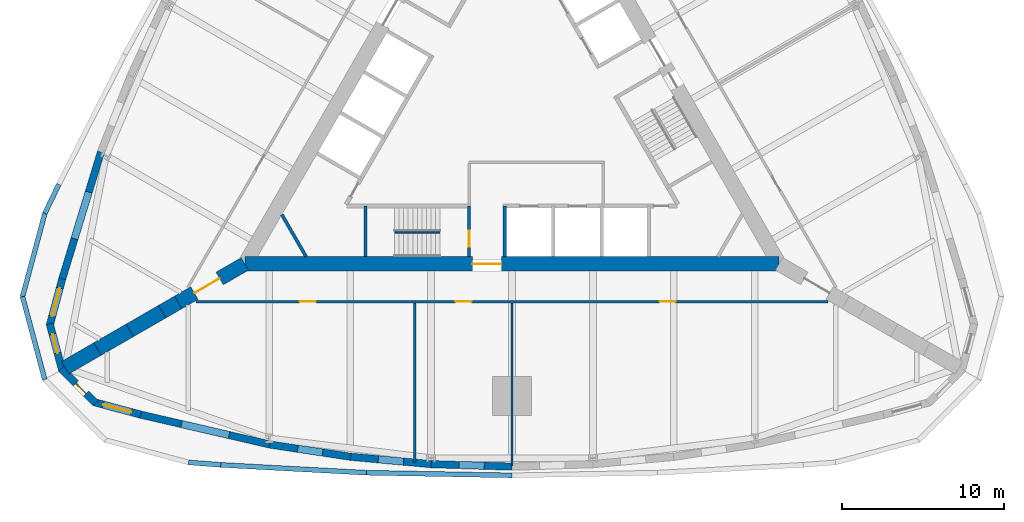
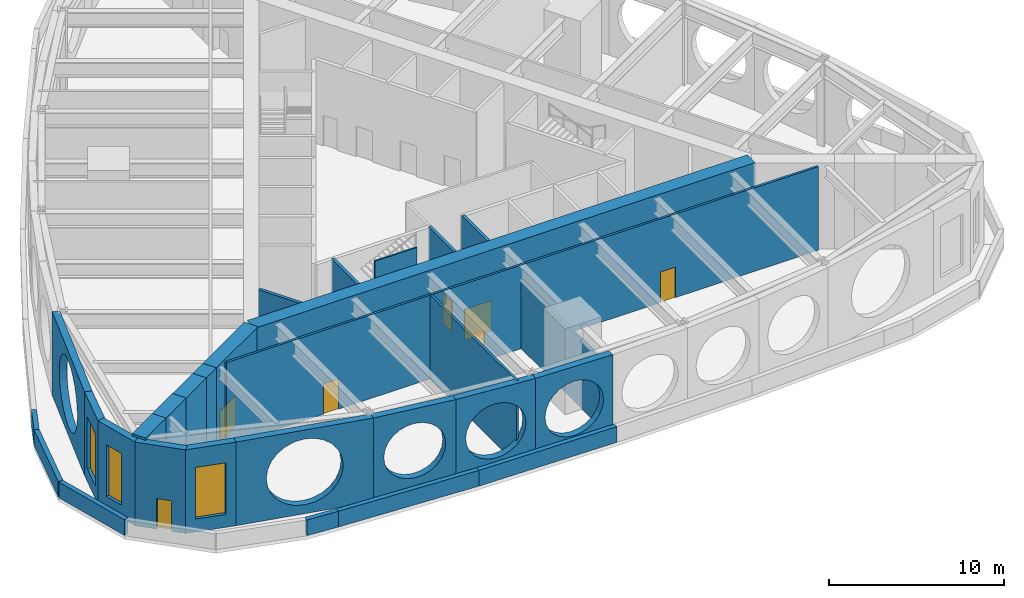
# One storey, part 3 of 8: 29 walls, 7 doors, 3 windows, 10 openings.
"""IFC4 building model written with IfcOpenShell, lengths in metres."""

from ifc_helpers import new_model, si_unit, direction, frame, frame_2d, origin, place, context, subcontext, project, spatial, polyline, rectangle, outline, extrude, material, layer, layer_set, type_object, element, fill, save


model = new_model("IFC4")

# Units and contexts
model_context = context("Model", 3, precision=1e-05, world=origin(), true_north=direction((0.0, 1.0)))
body_context = subcontext(model_context, "Body", "Model", "MODEL_VIEW")
ifc_project = project(units=[si_unit("LENGTHUNIT", "METRE"), si_unit("AREAUNIT", "SQUARE_METRE"), si_unit("VOLUMEUNIT", "CUBIC_METRE"), si_unit("PLANEANGLEUNIT", "RADIAN"), si_unit("MASSUNIT", "GRAM", prefix="KILO")], contexts=[model_context])

# Site, building, storey
site_placement = place(None, origin())
site = spatial("IfcSite", under=ifc_project, at=site_placement, CompositionType="ELEMENT")
building_placement = place(site_placement, origin())
building = spatial("IfcBuilding", under=site, at=building_placement, Name="Trikona Tower", CompositionType="ELEMENT")
storey_placement = place(building_placement, frame((0.0, 0.0, 22.5)))
storey = spatial("IfcBuildingStorey", under=building, at=storey_placement, Name="L04", CompositionType="ELEMENT", Elevation=22.5)

# Wall, opening, window
ifc_material_1 = material(Name="Brick-faced precast concrete", Category="masonry")
ifc_layer_1 = layer(ifc_material_1, 0.449951171875)
ifc_layer_set_1 = layer_set([ifc_layer_1], Name="Brick-faced corner wall 450")
wall_type_1 = type_object("IfcWallType", Name="Brick-faced corner wall 450", PredefinedType="SOLIDWALL", material=ifc_layer_set_1)
wall_1_placement = place(storey_placement, frame((-27.78271484375, -10.450439453125, 0.0), z_axis=(0.0, 0.0, 1.0), x_axis=(-0.258780998834, -0.965936019953, 0.0)))
wall_1 = element("IfcWall", 1, at=wall_1_placement, inside=storey, type_object=wall_type_1, Name="External wall L04-32", PredefinedType="SOLIDWALL", context=body_context, shape_type="SweptSolid", body=[
    extrude(rectangle(XDim=2.98876953125, YDim=0.449951171875, at=frame_2d((1.494384765625, 0.0))), origin(), (0.0, 0.0, 1.0), 5.8349609375),
])
opening_1_placement = place(wall_1_placement, frame((0.59423828125, 0.0, 0.89990234375)))
opening_1 = element("IfcOpeningElement", 2, at=opening_1_placement, cuts=wall_1, Name="Opening W1836", PredefinedType="OPENING", context=body_context, shape_type="SweptSolid", body=[
    extrude(rectangle(XDim=1.800048828125, YDim=3.60009765625, at=frame_2d((0.89990234375, 1.800048828125))), frame((0.0, 0.23486328125, 0.0), z_axis=(0.0, -1.0, 0.0), x_axis=(1.0, 0.0, 0.0)), (0.0, 0.0, 1.0), 0.469970703125),
])
ifc_material_2 = material(Name="Aluminium-framed double glazing", Category="aluminium")
window_type_1 = type_object("IfcWindowType", Name="Window 1800x3600", PartitioningType="SINGLE_PANEL", PredefinedType="WINDOW", material=ifc_material_2)
window_1_placement = place(opening_1_placement, origin())
window_1 = element("IfcWindow", 3, at=window_1_placement, inside=storey, type_object=window_type_1, Name="Window L04-AHU", OverallHeight=3.60009765625, OverallWidth=1.800048828125, PartitioningType="SINGLE_PANEL", PredefinedType="WINDOW", context=body_context, shape_type="SweptSolid", body=[
    extrude(rectangle(XDim=1.800048828125, YDim=3.60009765625, at=frame_2d((0.89990234375, 1.800048828125))), frame((0.0, 0.030029296875, 0.0), z_axis=(0.0, -1.0, 0.0), x_axis=(1.0, 0.0, 0.0)), (0.0, 0.0, 1.0), 0.06005859375),
])
fill(opening_1, window_1)

wall_2_placement = place(storey_placement, frame((-28.55615234375, -13.220947265625, 0.0), z_axis=(0.0, 0.0, 1.0), x_axis=(0.258801419081, -0.965930548995, 0.0)))
wall_2 = element("IfcWall", 4, at=wall_2_placement, inside=storey, type_object=wall_type_1, Name="External wall L04-33", PredefinedType="SOLIDWALL", context=body_context, shape_type="SweptSolid", body=[
    extrude(outline(polyline([(2.988525390625, 0.22509765625), (2.928955078125, 0.22509765625), (2.437255859375, 0.09326171875), (2.402099609375, 0.22509765625), (0.0, 0.22509765625), (0.0, -0.22509765625), (2.988525390625, -0.22509765625), (2.988525390625, 0.22509765625)])), origin(), (0.0, 0.0, 1.0), 5.8349609375),
])
opening_2_placement = place(wall_2_placement, frame((0.676025390625, 0.0, 0.89990234375)))
opening_2 = element("IfcOpeningElement", 5, at=opening_2_placement, cuts=wall_2, Name="Opening W1236", PredefinedType="OPENING", context=body_context, shape_type="SweptSolid", body=[
    extrude(rectangle(XDim=1.199951171875, YDim=3.60009765625, at=frame_2d((0.60009765625, 1.800048828125))), frame((0.0, 0.23486328125, 0.0), z_axis=(0.0, -1.0, 0.0), x_axis=(1.0, 0.0, 0.0)), (0.0, 0.0, 1.0), 0.469970703125),
])
ifc_material_3 = material(Name="Aluminium-framed double glazing", Category="aluminium")
window_type_2 = type_object("IfcWindowType", Name="Window 1200x3600", PartitioningType="SINGLE_PANEL", PredefinedType="WINDOW", material=ifc_material_3)
window_2_placement = place(opening_2_placement, origin())
window_2 = element("IfcWindow", 6, at=window_2_placement, inside=storey, type_object=window_type_2, Name="Window L04-AHU", OverallHeight=3.60009765625, OverallWidth=1.199951171875, PartitioningType="SINGLE_PANEL", PredefinedType="WINDOW", context=body_context, shape_type="SweptSolid", body=[
    extrude(rectangle(XDim=1.199951171875, YDim=3.60009765625, at=frame_2d((0.60009765625, 1.800048828125))), frame((0.0, 0.030029296875, 0.0), z_axis=(0.0, -1.0, 0.0), x_axis=(1.0, 0.0, 0.0)), (0.0, 0.0, 1.0), 0.06005859375),
])
fill(opening_2, window_2)

# Wall, opening, door
wall_3_placement = place(storey_placement, frame((-27.8408203125, -16.006591796875, 0.0), z_axis=(0.0, 0.0, 1.0), x_axis=(0.707025086683, -0.707188466253, 0.0)))
wall_3 = element("IfcWall", 7, at=wall_3_placement, inside=storey, type_object=wall_type_1, Name="External wall L04-34", PredefinedType="SOLIDWALL", context=body_context, shape_type="SweptSolid", body=[
    extrude(outline(polyline([(2.988525390625, 0.22509765625), (0.58642578125, 0.22509765625), (0.551025390625, 0.093017578125), (0.058837890625, 0.22509765625), (0.0, 0.22509765625), (0.0, -0.22509765625), (2.988525390625, -0.22509765625), (2.988525390625, 0.22509765625)])), origin(), (0.0, 0.0, 1.0), 5.8349609375),
])
opening_3_placement = place(wall_3_placement, frame((1.262451171875, 0.0, 0.0)))
opening_3 = element("IfcOpeningElement", 8, at=opening_3_placement, cuts=wall_3, Name="Opening D17", PredefinedType="OPENING", context=body_context, shape_type="SweptSolid", body=[
    extrude(rectangle(XDim=0.89990234375, YDim=2.1298828125, at=frame_2d((0.449951171875, 1.06494140625))), frame((0.0, 0.23486328125, 0.0), z_axis=(0.0, -1.0, 0.0), x_axis=(1.0, 0.0, 0.0)), (0.0, 0.0, 1.0), 0.469970703125),
])
ifc_material_4 = material(Name="Insulated steel door and frame", Category="steel")
door_type_1 = type_object("IfcDoorType", Name="Maintenance roof access door 900x2130", OperationType="SINGLE_SWING_LEFT", PredefinedType="DOOR", material=ifc_material_4)
door_1_placement = place(opening_3_placement, origin())
door_1 = element("IfcDoor", 9, at=door_1_placement, inside=storey, type_object=door_type_1, Name="Maintenance access door Main electrical switch room", OperationType="SINGLE_SWING_LEFT", OverallHeight=2.1298828125, OverallWidth=0.89990234375, PredefinedType="DOOR", context=body_context, shape_type="SweptSolid", body=[
    extrude(rectangle(XDim=0.89990234375, YDim=2.1298828125, at=frame_2d((0.449951171875, 1.06494140625))), frame((0.0, 0.02490234375, 0.0), z_axis=(0.0, -1.0, 0.0), x_axis=(1.0, 0.0, 0.0)), (0.0, 0.0, 1.0), 0.050048828125),
])
fill(opening_3, door_1)

# Wall, opening, window
wall_4_placement = place(storey_placement, frame((-25.82861328125, -18.061767578125, 0.0), z_axis=(0.0, 0.0, 1.0), x_axis=(0.965930548995, -0.258801419081, 0.0)))
wall_4 = element("IfcWall", 10, at=wall_4_placement, inside=storey, type_object=wall_type_1, Name="External wall L04-35", PredefinedType="SOLIDWALL", context=body_context, shape_type="SweptSolid", body=[
    extrude(rectangle(XDim=2.988525390625, YDim=0.449951171875, at=frame_2d((1.494140625, 0.0))), origin(), (0.0, 0.0, 1.0), 5.8349609375),
])
opening_4_placement = place(wall_4_placement, frame((0.59423828125, 0.0, 0.89990234375)))
opening_4 = element("IfcOpeningElement", 11, at=opening_4_placement, cuts=wall_4, Name="Opening W1836", PredefinedType="OPENING", context=body_context, shape_type="SweptSolid", body=[
    extrude(rectangle(XDim=1.800048828125, YDim=3.60009765625, at=frame_2d((0.89990234375, 1.800048828125))), frame((0.0, 0.23486328125, 0.0), z_axis=(0.0, -1.0, 0.0), x_axis=(1.0, 0.0, 0.0)), (0.0, 0.0, 1.0), 0.469970703125),
])
window_3_placement = place(opening_4_placement, origin())
window_3 = element("IfcWindow", 12, at=window_3_placement, inside=storey, type_object=window_type_1, Name="Window L04-SWR", OverallHeight=3.60009765625, OverallWidth=1.800048828125, PartitioningType="SINGLE_PANEL", PredefinedType="WINDOW", context=body_context, shape_type="SweptSolid", body=[
    extrude(rectangle(XDim=1.800048828125, YDim=3.60009765625, at=frame_2d((0.89990234375, 1.800048828125))), frame((0.0, 0.030029296875, 0.0), z_axis=(0.0, -1.0, 0.0), x_axis=(1.0, 0.0, 0.0)), (0.0, 0.0, 1.0), 0.06005859375),
])
fill(opening_4, window_3)

# Walls
ifc_material_5 = material(Name="Brick-faced precast concrete with louvred openings", Category="masonry")
ifc_layer_2 = layer(ifc_material_5, 0.449951171875)
ifc_layer_set_2 = layer_set([ifc_layer_2], Name="Brick-faced plant wall 450")
wall_type_2 = type_object("IfcWallType", Name="Brick-faced plant wall 450", PredefinedType="SOLIDWALL", material=ifc_layer_set_2)
wall_5_placement = place(storey_placement, frame((-22.94921875, -18.83349609375, 0.0), z_axis=(0.0, 0.0, 1.0), x_axis=(0.974279327392, -0.225343720163, 0.0)))
element("IfcWall", 13, at=wall_5_placement, inside=storey, type_object=wall_type_2, Name="External wall L04-00", PredefinedType="SOLIDWALL", context=body_context, shape_type="SweptSolid", body=[
    extrude(outline(polyline([(0.0, 0.0), (8.211181640625, 0.0), (8.211181640625, 5.8349609375), (0.0, 5.8349609375), (0.0, 0.0)]), holes=[polyline([(6.405517578125, 2.91748046875), (6.3271484375, 3.5126953125), (6.097412109375, 4.0673828125), (5.73193359375, 4.543701171875), (5.255615234375, 4.909423828125), (4.700927734375, 5.13916015625), (4.105712890625, 5.217529296875), (3.51025390625, 5.13916015625), (2.95556640625, 4.909423828125), (2.479248046875, 4.543701171875), (2.11376953125, 4.0673828125), (1.884033203125, 3.5126953125), (1.8056640625, 2.91748046875), (1.884033203125, 2.322265625), (2.11376953125, 1.767578125), (2.479248046875, 1.291259765625), (2.95556640625, 0.925537109375), (3.51025390625, 0.69580078125), (4.105712890625, 0.617431640625), (4.700927734375, 0.69580078125), (5.255615234375, 0.925537109375), (5.73193359375, 1.291259765625), (6.097412109375, 1.767578125), (6.3271484375, 2.322265625), (6.405517578125, 2.91748046875)])]), frame((0.0, 0.22509765625, 0.0), z_axis=(0.0, -1.0, 0.0), x_axis=(1.0, 0.0, 0.0)), (0.0, 0.0, 1.0), 0.449951171875),
])
wall_6_placement = place(storey_placement, frame((-14.966064453125, -20.6806640625, 0.0), z_axis=(0.0, 0.0, 1.0), x_axis=(0.988622582897, -0.150417381265, 0.0)))
element("IfcWall", 14, at=wall_6_placement, inside=storey, type_object=wall_type_2, Name="External wall L04-01", PredefinedType="SOLIDWALL", context=body_context, shape_type="SweptSolid", body=[
    extrude(outline(polyline([(0.0, 0.0), (5.0576171875, 0.0), (5.0576171875, 5.8349609375), (0.0, 5.8349609375), (0.0, 0.0)]), holes=[polyline([(4.4287109375, 2.91748046875), (4.364013671875, 3.4091796875), (4.17431640625, 3.867431640625), (3.872314453125, 4.260986328125), (3.478759765625, 4.56298828125), (3.0205078125, 4.752685546875), (2.52880859375, 4.8173828125), (2.037109375, 4.752685546875), (1.578857421875, 4.56298828125), (1.185302734375, 4.260986328125), (0.88330078125, 3.867431640625), (0.693603515625, 3.4091796875), (0.62890625, 2.91748046875), (0.693603515625, 2.42578125), (0.88330078125, 1.967529296875), (1.185302734375, 1.573974609375), (1.578857421875, 1.272216796875), (2.037109375, 1.082275390625), (2.52880859375, 1.017578125), (3.0205078125, 1.082275390625), (3.478759765625, 1.272216796875), (3.872314453125, 1.573974609375), (4.17431640625, 1.967529296875), (4.364013671875, 2.42578125), (4.4287109375, 2.91748046875)])]), frame((0.0, 0.22509765625, 0.0), z_axis=(0.0, -1.0, 0.0), x_axis=(1.0, 0.0, 0.0)), (0.0, 0.0, 1.0), 0.449951171875),
])
wall_7_placement = place(storey_placement, frame((-9.9794921875, -21.439697265625, 0.0), z_axis=(0.0, 0.0, 1.0), x_axis=(0.995857256774, -0.090930325692, 0.0)))
element("IfcWall", 15, at=wall_7_placement, inside=storey, type_object=wall_type_2, Name="External wall L04-02", PredefinedType="SOLIDWALL", context=body_context, shape_type="SweptSolid", body=[
    extrude(outline(polyline([(0.0, 0.0), (5.020751953125, 0.0), (5.020751953125, 5.8349609375), (0.0, 5.8349609375), (0.0, 0.0)]), holes=[polyline([(4.410400390625, 2.91748046875), (4.345703125, 3.4091796875), (4.15576171875, 3.867431640625), (3.85400390625, 4.260986328125), (3.46044921875, 4.56298828125), (3.002197265625, 4.752685546875), (2.510498046875, 4.8173828125), (2.0185546875, 4.752685546875), (1.560302734375, 4.56298828125), (1.1669921875, 4.260986328125), (0.864990234375, 3.867431640625), (0.675048828125, 3.4091796875), (0.6103515625, 2.91748046875), (0.675048828125, 2.42578125), (0.864990234375, 1.967529296875), (1.1669921875, 1.573974609375), (1.560302734375, 1.272216796875), (2.0185546875, 1.082275390625), (2.510498046875, 1.017578125), (3.002197265625, 1.082275390625), (3.46044921875, 1.272216796875), (3.85400390625, 1.573974609375), (4.15576171875, 1.967529296875), (4.345703125, 2.42578125), (4.410400390625, 2.91748046875)])]), frame((0.0, 0.22509765625, 0.0), z_axis=(0.0, -1.0, 0.0), x_axis=(1.0, 0.0, 0.0)), (0.0, 0.0, 1.0), 0.449951171875),
])
wall_8_placement = place(storey_placement, frame((-4.9931640625, -21.8955078125, 0.0), z_axis=(0.0, 0.0, 1.0), x_axis=(0.999537635046, -0.030405856769, 0.0)))
element("IfcWall", 16, at=wall_8_placement, inside=storey, type_object=wall_type_2, Name="External wall L04-03", PredefinedType="SOLIDWALL", context=body_context, shape_type="SweptSolid", body=[
    extrude(outline(polyline([(0.0, 0.0), (5.002197265625, 0.0), (5.002197265625, 5.8349609375), (0.0, 5.8349609375), (0.0, 0.0)]), holes=[polyline([(4.401123046875, 2.91748046875), (4.33642578125, 3.4091796875), (4.146484375, 3.867431640625), (3.8447265625, 4.260986328125), (3.451171875, 4.56298828125), (2.992919921875, 4.752685546875), (2.501220703125, 4.8173828125), (2.009521484375, 4.752685546875), (1.55126953125, 4.56298828125), (1.15771484375, 4.260986328125), (0.855712890625, 3.867431640625), (0.666015625, 3.4091796875), (0.601318359375, 2.91748046875), (0.666015625, 2.42578125), (0.855712890625, 1.967529296875), (1.15771484375, 1.573974609375), (1.55126953125, 1.272216796875), (2.009521484375, 1.082275390625), (2.501220703125, 1.017578125), (2.992919921875, 1.082275390625), (3.451171875, 1.272216796875), (3.8447265625, 1.573974609375), (4.146484375, 1.967529296875), (4.33642578125, 2.42578125), (4.401123046875, 2.91748046875)])]), frame((0.0, 0.22509765625, 0.0), z_axis=(0.0, -1.0, 0.0), x_axis=(1.0, 0.0, 0.0)), (0.0, 0.0, 1.0), 0.449951171875),
])
wall_9_placement = place(storey_placement, frame((-25.38720703125, -2.6044921875, 0.0), z_axis=(0.0, 0.0, 1.0), x_axis=(-0.291997961298, -0.956418940945, 0.0)))
element("IfcWall", 17, at=wall_9_placement, inside=storey, type_object=wall_type_2, Name="External wall L04-31", PredefinedType="SOLIDWALL", context=body_context, shape_type="SweptSolid", body=[
    extrude(outline(polyline([(0.0, 0.0), (8.21142578125, 0.0), (8.21142578125, 5.8349609375), (0.0, 5.8349609375), (0.0, 0.0)]), holes=[polyline([(6.405517578125, 2.91748046875), (6.3271484375, 3.5126953125), (6.097412109375, 4.0673828125), (5.73193359375, 4.543701171875), (5.255615234375, 4.909423828125), (4.700927734375, 5.13916015625), (4.105712890625, 5.217529296875), (3.51025390625, 5.13916015625), (2.95556640625, 4.909423828125), (2.479248046875, 4.543701171875), (2.11376953125, 4.0673828125), (1.884033203125, 3.5126953125), (1.8056640625, 2.91748046875), (1.884033203125, 2.322265625), (2.11376953125, 1.767578125), (2.479248046875, 1.291259765625), (2.95556640625, 0.925537109375), (3.51025390625, 0.69580078125), (4.105712890625, 0.617431640625), (4.700927734375, 0.69580078125), (5.255615234375, 0.925537109375), (5.73193359375, 1.291259765625), (6.097412109375, 1.767578125), (6.3271484375, 2.322265625), (6.405517578125, 2.91748046875)])]), frame((0.0, 0.22509765625, 0.0), z_axis=(0.0, -1.0, 0.0), x_axis=(1.0, 0.0, 0.0)), (0.0, 0.0, 1.0), 0.449951171875),
])

# Wall, opening, door
ifc_material_6 = material(Name="Concrete f'c 10000 psi", Category="concrete")
ifc_layer_3 = layer(ifc_material_6, 0.89990234375)
ifc_layer_set_3 = layer_set([ifc_layer_3], Name="Buttress wall 900")
wall_type_3 = type_object("IfcWallType", Name="Buttress wall 900", PredefinedType="SHEAR", material=ifc_layer_set_3)
wall_10_placement = place(storey_placement, frame((-16.5, -9.5263671875, 0.0), z_axis=(0.0, 0.0, 1.0), x_axis=(-0.866031398331, -0.499989616998, 0.0)))
wall_10 = element("IfcWall", 18, at=wall_10_placement, inside=storey, type_object=wall_type_3, Name="Buttress wall 3", PredefinedType="SHEAR", context=body_context, shape_type="SweptSolid", body=[
    extrude(rectangle(XDim=4.74609375, YDim=0.89990234375, at=frame_2d((2.373046875, 0.0))), origin(), (0.0, 0.0, 1.0), 6.0),
])
opening_5_placement = place(wall_10_placement, frame((1.800048828125, 0.0, 0.0)))
opening_5 = element("IfcOpeningElement", 19, at=opening_5_placement, cuts=wall_10, Name="Opening D10", PredefinedType="OPENING", context=body_context, shape_type="SweptSolid", body=[
    extrude(rectangle(XDim=1.800048828125, YDim=2.1298828125, at=frame_2d((0.89990234375, 1.06494140625))), frame((0.0, 0.4599609375, 0.0), z_axis=(0.0, -1.0, 0.0), x_axis=(1.0, 0.0, 0.0)), (0.0, 0.0, 1.0), 0.919921875),
])
ifc_material_7 = material(Name="Hollow metal door and frame", Category="steel")
door_type_2 = type_object("IfcDoorType", Name="Cross-corridor door pair 1800x2130", OperationType="DOUBLE_DOOR_DOUBLE_SWING", PredefinedType="DOOR", material=ifc_material_7)
door_2_placement = place(opening_5_placement, origin())
door_2 = element("IfcDoor", 20, at=door_2_placement, inside=storey, type_object=door_type_2, Name="Cross-corridor door 3", OperationType="DOUBLE_DOOR_DOUBLE_SWING", OverallHeight=2.1298828125, OverallWidth=1.800048828125, PredefinedType="DOOR", context=body_context, shape_type="SweptSolid", body=[
    extrude(rectangle(XDim=1.800048828125, YDim=2.1298828125, at=frame_2d((0.89990234375, 1.06494140625))), frame((0.0, 0.02490234375, 0.0), z_axis=(0.0, -1.0, 0.0), x_axis=(1.0, 0.0, 0.0)), (0.0, 0.0, 1.0), 0.050048828125),
])
fill(opening_5, door_2)

# Walls
wall_11_placement = place(storey_placement, frame((-20.6103515625, -11.8994140625, 0.0), z_axis=(0.0, 0.0, 1.0), x_axis=(-0.866009537788, -0.500027479704, 0.0)))
element("IfcWall", 21, at=wall_11_placement, inside=storey, type_object=wall_type_3, Name="Buttress wall 3 part 2", PredefinedType="SHEAR", context=body_context, shape_type="SweptSolid", body=[
    extrude(rectangle(XDim=1.15478515625, YDim=0.89990234375, at=frame_2d((0.577392578125, 0.0))), origin(), (0.0, 0.0, 1.0), 6.0),
])
for number, where, z_axis, x_axis, name in (
    (22, (-21.6103515625, -12.476806640625, 0.0), (0.0, 0.0, 1.0), (-0.866055313784, -0.499948190782, 0.0), "Buttress wall 3 part 3"),
    (23, (-23.6103515625, -13.63134765625, 0.0), (0.0, 0.0, 1.0), (-0.866009537788, -0.500027479704, 0.0), "Buttress wall 3 part 4"),
    (24, (-25.6103515625, -14.7861328125, 0.0), (0.0, 0.0, 1.0), (-0.866009537788, -0.500027479704, 0.0), "Buttress wall 3 part 5"),
):
    element("IfcWall", number, at=place(storey_placement, frame(where, z_axis=z_axis, x_axis=x_axis)), inside=storey, type_object=wall_type_3, Name=name, PredefinedType="SHEAR", context=body_context, shape_type="SweptSolid", body=[
        extrude(rectangle(XDim=2.309326171875, YDim=0.89990234375, at=frame_2d((1.15478515625, 0.0))), origin(), (0.0, 0.0, 1.0), 6.0),
    ])

# Wall, opening, door
ifc_material_8 = material(Name="Concrete f'c 10000 psi", Category="concrete")
ifc_layer_4 = layer(ifc_material_8, 0.89990234375)
ifc_layer_set_4 = layer_set([ifc_layer_4], Name="Core wall 900")
wall_type_4 = type_object("IfcWallType", Name="Core wall 900", PredefinedType="SHEAR", material=ifc_layer_set_4)
wall_12_placement = place(storey_placement, frame((-16.5, -9.5263671875, 0.0), z_axis=(0.0, 0.0, 1.0), x_axis=(1.0, 0.0, 0.0)))
wall_12 = element("IfcWall", 25, at=wall_12_placement, inside=storey, type_object=wall_type_4, Name="Core wall A", PredefinedType="SHEAR", context=body_context, shape_type="SweptSolid", body=[
    extrude(rectangle(XDim=33.0, YDim=0.89990234375, at=frame_2d((16.5, 0.0))), origin(), (0.0, 0.0, 1.0), 6.0),
])
opening_6_placement = place(wall_12_placement, frame((14.050048828125, 0.0, 0.0)))
opening_6 = element("IfcOpeningElement", 26, at=opening_6_placement, cuts=wall_12, Name="Opening D6", PredefinedType="OPENING", context=body_context, shape_type="SweptSolid", body=[
    extrude(rectangle(XDim=1.800048828125, YDim=2.1298828125, at=frame_2d((0.89990234375, 1.06494140625))), frame((0.0, 0.4599609375, 0.0), z_axis=(0.0, -1.0, 0.0), x_axis=(1.0, 0.0, 0.0)), (0.0, 0.0, 1.0), 0.919921875),
])
ifc_material_9 = material(Name="Hollow metal door and frame", Category="steel")
door_type_3 = type_object("IfcDoorType", Name="Lobby door pair 1800x2130", OperationType="DOUBLE_DOOR_SINGLE_SWING", PredefinedType="DOOR", material=ifc_material_9)
door_3_placement = place(opening_6_placement, origin())
door_3 = element("IfcDoor", 27, at=door_3_placement, inside=storey, type_object=door_type_3, Name="Fire service lift lobby door", OperationType="DOUBLE_DOOR_SINGLE_SWING", OverallHeight=2.1298828125, OverallWidth=1.800048828125, PredefinedType="DOOR", context=body_context, shape_type="SweptSolid", body=[
    extrude(rectangle(XDim=1.800048828125, YDim=2.1298828125, at=frame_2d((0.89990234375, 1.06494140625))), frame((0.0, 0.02490234375, 0.0), z_axis=(0.0, -1.0, 0.0), x_axis=(1.0, 0.0, 0.0)), (0.0, 0.0, 1.0), 0.050048828125),
])
fill(opening_6, door_3)

# Wall, openings, doors
ifc_material_10 = material(Name="Metal stud and gypsum board, 1-hour", Category="gypsum")
ifc_layer_5 = layer(ifc_material_10, 0.14990234375)
ifc_layer_set_5 = layer_set([ifc_layer_5], Name="Corridor wall 150")
wall_type_5 = type_object("IfcWallType", Name="Corridor wall 150", PredefinedType="PARTITIONING", material=ifc_layer_set_5)
wall_13_placement = place(storey_placement, frame((-19.527099609375, -11.851318359375, 0.0), z_axis=(0.0, 0.0, 1.0), x_axis=(1.0, 0.0, 0.0)))
wall_13 = element("IfcWall", 28, at=wall_13_placement, inside=storey, type_object=wall_type_5, Name="Corridor wall L04-1", PredefinedType="PARTITIONING", context=body_context, shape_type="SweptSolid", body=[
    extrude(rectangle(XDim=39.05419921875, YDim=0.14990234375, at=frame_2d((19.527099609375, 0.0))), origin(), (0.0, 0.0, 1.0), 5.8349609375),
])
opening_7_placement = place(wall_13_placement, frame((6.41357421875, 0.0, 0.0)))
opening_7 = element("IfcOpeningElement", 29, at=opening_7_placement, cuts=wall_13, Name="Opening D3", PredefinedType="OPENING", context=body_context, shape_type="SweptSolid", body=[
    extrude(rectangle(XDim=1.0, YDim=2.1298828125, at=frame_2d((0.5, 1.06494140625))), frame((0.0, 0.0849609375, 0.0), z_axis=(0.0, -1.0, 0.0), x_axis=(1.0, 0.0, 0.0)), (0.0, 0.0, 1.0), 0.169921875),
])
opening_8_placement = place(wall_13_placement, frame((16.027099609375, 0.0, 0.0)))
opening_8 = element("IfcOpeningElement", 30, at=opening_8_placement, cuts=wall_13, Name="Opening D3", PredefinedType="OPENING", context=body_context, shape_type="SweptSolid", body=[
    extrude(rectangle(XDim=1.0, YDim=2.1298828125, at=frame_2d((0.5, 1.06494140625))), frame((0.0, 0.0849609375, 0.0), z_axis=(0.0, -1.0, 0.0), x_axis=(1.0, 0.0, 0.0)), (0.0, 0.0, 1.0), 0.169921875),
])
opening_9_placement = place(wall_13_placement, frame((28.640380859375, 0.0, 0.0)))
opening_9 = element("IfcOpeningElement", 31, at=opening_9_placement, cuts=wall_13, Name="Opening D3", PredefinedType="OPENING", context=body_context, shape_type="SweptSolid", body=[
    extrude(rectangle(XDim=1.0, YDim=2.1298828125, at=frame_2d((0.5, 1.06494140625))), frame((0.0, 0.0849609375, 0.0), z_axis=(0.0, -1.0, 0.0), x_axis=(1.0, 0.0, 0.0)), (0.0, 0.0, 1.0), 0.169921875),
])
ifc_material_11 = material(Name="Steel door frame with solid-core timber leaf", Category="steel")
door_type_4 = type_object("IfcDoorType", Name="Room door 1000x2130", OperationType="SINGLE_SWING_LEFT", PredefinedType="DOOR", material=ifc_material_11)
door_4_placement = place(opening_7_placement, origin())
door_4 = element("IfcDoor", 32, at=door_4_placement, inside=storey, type_object=door_type_4, Name="Door Main electrical switch room", OperationType="SINGLE_SWING_LEFT", OverallHeight=2.1298828125, OverallWidth=1.0, PredefinedType="DOOR", context=body_context, shape_type="SweptSolid", body=[
    extrude(rectangle(XDim=1.0, YDim=2.1298828125, at=frame_2d((0.5, 1.06494140625))), frame((0.0, 0.02490234375, 0.0), z_axis=(0.0, -1.0, 0.0), x_axis=(1.0, 0.0, 0.0)), (0.0, 0.0, 1.0), 0.050048828125),
])
fill(opening_7, door_4)
door_5_placement = place(opening_8_placement, origin())
door_5 = element("IfcDoor", 33, at=door_5_placement, inside=storey, type_object=door_type_4, Name="Door Standby generator room", OperationType="SINGLE_SWING_RIGHT", OverallHeight=2.1298828125, OverallWidth=1.0, PredefinedType="DOOR", context=body_context, shape_type="SweptSolid", body=[
    extrude(rectangle(XDim=1.0, YDim=2.1298828125, at=frame_2d((0.5, 1.06494140625))), frame((0.0, 0.02490234375, 0.0), z_axis=(0.0, -1.0, 0.0), x_axis=(1.0, 0.0, 0.0)), (0.0, 0.0, 1.0), 0.050048828125),
])
fill(opening_8, door_5)
door_6_placement = place(opening_9_placement, origin())
door_6 = element("IfcDoor", 34, at=door_6_placement, inside=storey, type_object=door_type_4, Name="Door Refuge area", OperationType="SINGLE_SWING_LEFT", OverallHeight=2.1298828125, OverallWidth=1.0, PredefinedType="DOOR", context=body_context, shape_type="SweptSolid", body=[
    extrude(rectangle(XDim=1.0, YDim=2.1298828125, at=frame_2d((0.5, 1.06494140625))), frame((0.0, 0.02490234375, 0.0), z_axis=(0.0, -1.0, 0.0), x_axis=(1.0, 0.0, 0.0)), (0.0, 0.0, 1.0), 0.050048828125),
])
fill(opening_9, door_6)

# Walls
ifc_material_12 = material(Name="Brick-faced precast concrete", Category="masonry")
ifc_layer_6 = layer(ifc_material_12, 0.300048828125)
ifc_layer_set_6 = layer_set([ifc_layer_6], Name="Parapet wall 300")
wall_type_6 = type_object("IfcWallType", Name="Parapet wall 300", PredefinedType="PARAPET", material=ifc_layer_set_6)
wall_14_placement = place(storey_placement, frame((-28.865478515625, -16.66552734375, 0.0), z_axis=(0.0, 0.0, 1.0), x_axis=(-0.258838181903, 0.965920698396, 0.0)))
element("IfcWall", 35, at=wall_14_placement, inside=storey, type_object=wall_type_6, Name="Parapet L04-02", PredefinedType="PARAPET", context=body_context, shape_type="SweptSolid", body=[
    extrude(rectangle(XDim=5.299072265625, YDim=0.300048828125, at=frame_2d((2.6494140625, 0.0))), origin(), (0.0, 0.0, 1.0), 1.10009765625),
])
wall_15_placement = place(storey_placement, frame((-30.237060546875, -11.547119140625, 0.0), z_axis=(0.0, 0.0, 1.0), x_axis=(0.258843788525, 0.965919195969, 0.0)))
element("IfcWall", 36, at=wall_15_placement, inside=storey, type_object=wall_type_6, Name="Parapet L04-03", PredefinedType="PARAPET", context=body_context, shape_type="SweptSolid", body=[
    extrude(rectangle(XDim=5.3251953125, YDim=0.300048828125, at=frame_2d((2.66259765625, 0.0))), origin(), (0.0, 0.0, 1.0), 1.10009765625),
])
wall_16_placement = place(storey_placement, frame((-28.858642578125, -6.4033203125, 0.0), z_axis=(0.0, 0.0, 1.0), x_axis=(0.432878608611, 0.90145222292, 0.0)))
element("IfcWall", 37, at=wall_16_placement, inside=storey, type_object=wall_type_6, Name="Parapet L04-04", PredefinedType="PARAPET", context=body_context, shape_type="SweptSolid", body=[
    extrude(rectangle(XDim=1.990234375, YDim=0.300048828125, at=frame_2d((0.9951171875, 0.0))), origin(), (0.0, 0.0, 1.0), 1.10009765625),
])
wall_17_placement = place(storey_placement, frame((0.0, -22.58935546875, 0.0), z_axis=(0.0, 0.0, 1.0), x_axis=(-0.999838115527, 0.017992852467, 0.0)))
element("IfcWall", 38, at=wall_17_placement, inside=storey, type_object=wall_type_6, Name="Parapet L04-27", PredefinedType="PARAPET", context=body_context, shape_type="SweptSolid", body=[
    extrude(rectangle(XDim=8.99609375, YDim=0.300048828125, at=frame_2d((4.498046875, 0.0))), origin(), (0.0, 0.0, 1.0), 1.10009765625),
])
wall_18_placement = place(storey_placement, frame((-8.99462890625, -22.427490234375, 0.0), z_axis=(0.0, 0.0, 1.0), x_axis=(-0.998544719783, 0.053929978624, 0.0)))
element("IfcWall", 39, at=wall_18_placement, inside=storey, type_object=wall_type_6, Name="Parapet L04-28", PredefinedType="PARAPET", context=body_context, shape_type="SweptSolid", body=[
    extrude(rectangle(XDim=9.0087890625, YDim=0.300048828125, at=frame_2d((4.50439453125, 0.0))), origin(), (0.0, 0.0, 1.0), 1.10009765625),
])
wall_19_placement = place(storey_placement, frame((-17.990234375, -21.941650390625, 0.0), z_axis=(0.0, 0.0, 1.0), x_axis=(-0.997121928925, 0.075814634852, 0.0)))
element("IfcWall", 40, at=wall_19_placement, inside=storey, type_object=wall_type_6, Name="Parapet L04-29", PredefinedType="PARAPET", context=body_context, shape_type="SweptSolid", body=[
    extrude(rectangle(XDim=1.989990234375, YDim=0.300048828125, at=frame_2d((0.9951171875, 0.0))), origin(), (0.0, 0.0, 1.0), 1.10009765625),
])
ifc_material_13 = material(Name="Metal stud and gypsum board, 1-hour acoustic", Category="gypsum")
ifc_layer_7 = layer(ifc_material_13, 0.14990234375)
ifc_layer_set_7 = layer_set([ifc_layer_7], Name="Party wall 150")
wall_type_7 = type_object("IfcWallType", Name="Party wall 150", PredefinedType="PARTITIONING", material=ifc_layer_set_7)
wall_20_placement = place(storey_placement, frame((-6.0, -11.92626953125, 0.0), z_axis=(0.0, 0.0, 1.0), x_axis=(0.0, -1.0, 0.0)))
element("IfcWall", 41, at=wall_20_placement, inside=storey, type_object=wall_type_7, Name="Partition L04 F1 u-6", PredefinedType="PARTITIONING", context=body_context, shape_type="SweptSolid", body=[
    extrude(rectangle(XDim=9.851806640625, YDim=0.14990234375, at=frame_2d((4.92578125, 0.0))), origin(), (0.0, 0.0, 1.0), 5.8349609375),
])
wall_21_placement = place(storey_placement, frame((0.0, -11.92626953125, 0.0), z_axis=(0.0, 0.0, 1.0), x_axis=(0.0, -1.0, 0.0)))
element("IfcWall", 42, at=wall_21_placement, inside=storey, type_object=wall_type_7, Name="Partition L04 F1 u-1.03538e-30", PredefinedType="PARTITIONING", context=body_context, shape_type="SweptSolid", body=[
    extrude(rectangle(XDim=10.09619140625, YDim=0.14990234375, at=frame_2d((5.048095703125, 0.0))), origin(), (0.0, 0.0, 1.0), 4.793701171875),
])
ifc_material_14 = material(Name="Concrete f'c 8000 psi", Category="concrete")
ifc_layer_8 = layer(ifc_material_14, 0.199951171875)
ifc_layer_set_8 = layer_set([ifc_layer_8], Name="Shaft wall 200")
wall_type_8 = type_object("IfcWallType", Name="Shaft wall 200", PredefinedType="SOLIDWALL", material=ifc_layer_set_8)
wall_22_placement = place(storey_placement, frame((-0.449951171875, -5.951416015625, 0.0), z_axis=(0.0, 0.0, 1.0), x_axis=(0.0, -1.0, 0.0)))
element("IfcWall", 43, at=wall_22_placement, inside=storey, type_object=wall_type_8, Name="Shaft wall A3", PredefinedType="SOLIDWALL", context=body_context, shape_type="SweptSolid", body=[
    extrude(rectangle(XDim=3.125, YDim=0.199951171875, at=frame_2d((1.5625, 0.0))), origin(), (0.0, 0.0, 1.0), 5.8349609375),
])
wall_23_placement = place(storey_placement, frame((-12.718505859375, -9.076416015625, 0.0), z_axis=(0.0, 0.0, 1.0), x_axis=(-0.499952404951, 0.866052881055, 0.0)))
element("IfcWall", 44, at=wall_23_placement, inside=storey, type_object=wall_type_8, Name="Riser wall L04-RS3", PredefinedType="SOLIDWALL", context=body_context, shape_type="SweptSolid", body=[
    extrude(rectangle(XDim=3.002197265625, YDim=0.199951171875, at=frame_2d((1.5009765625, 0.0))), origin(), (0.0, 0.0, 1.0), 5.8349609375),
])
ifc_material_15 = material(Name="Concrete f'c 8000 psi", Category="concrete")
ifc_layer_9 = layer(ifc_material_15, 0.199951171875)
ifc_layer_set_9 = layer_set([ifc_layer_9], Name="Shaft wall 200 load-bearing")
wall_type_9 = type_object("IfcWallType", Name="Shaft wall 200 load-bearing", PredefinedType="SOLIDWALL", material=ifc_layer_set_9)
wall_24_placement = place(storey_placement, frame((-9.050048828125, -5.951416015625, 0.0), z_axis=(0.0, 0.0, 1.0), x_axis=(0.0, -1.0, 0.0)))
element("IfcWall", 45, at=wall_24_placement, inside=storey, type_object=wall_type_9, Name="Shaft wall A1", PredefinedType="SOLIDWALL", context=body_context, shape_type="SweptSolid", body=[
    extrude(rectangle(XDim=3.125, YDim=0.199951171875, at=frame_2d((1.5625, 0.0))), origin(), (0.0, 0.0, 1.0), 5.8349609375),
])

# Wall, opening, door
wall_25_placement = place(storey_placement, frame((-2.64990234375, -5.951416015625, 0.0), z_axis=(0.0, 0.0, 1.0), x_axis=(0.0, -1.0, 0.0)))
wall_25 = element("IfcWall", 46, at=wall_25_placement, inside=storey, type_object=wall_type_9, Name="Shaft wall A2", PredefinedType="SOLIDWALL", context=body_context, shape_type="SweptSolid", body=[
    extrude(rectangle(XDim=3.125, YDim=0.199951171875, at=frame_2d((1.5625, 0.0))), origin(), (0.0, 0.0, 1.0), 5.8349609375),
])
opening_10_placement = place(wall_25_placement, frame((1.52490234375, 0.0, 0.0)))
opening_10 = element("IfcOpeningElement", 47, at=opening_10_placement, cuts=wall_25, Name="Opening D5", PredefinedType="OPENING", context=body_context, shape_type="SweptSolid", body=[
    extrude(rectangle(XDim=1.0, YDim=2.1298828125, at=frame_2d((0.5, 1.06494140625))), frame((0.0, 0.10986328125, 0.0), z_axis=(0.0, -1.0, 0.0), x_axis=(1.0, 0.0, 0.0)), (0.0, 0.0, 1.0), 0.219970703125),
])
ifc_material_16 = material(Name="Hollow metal door and frame", Category="steel")
door_type_5 = type_object("IfcDoorType", Name="Stair door 1000x2130", OperationType="SINGLE_SWING_LEFT", PredefinedType="DOOR", material=ifc_material_16)
door_7_placement = place(opening_10_placement, origin())
door_7 = element("IfcDoor", 48, at=door_7_placement, inside=storey, type_object=door_type_5, Name="Stair A door", OperationType="SINGLE_SWING_RIGHT", OverallHeight=2.1298828125, OverallWidth=1.0, PredefinedType="DOOR", context=body_context, shape_type="SweptSolid", body=[
    extrude(rectangle(XDim=1.0, YDim=2.1298828125, at=frame_2d((0.5, 1.06494140625))), frame((0.0, 0.02490234375, 0.0), z_axis=(0.0, -1.0, 0.0), x_axis=(1.0, 0.0, 0.0)), (0.0, 0.0, 1.0), 0.050048828125),
])
fill(opening_10, door_7)

# Wall
ifc_material_17 = material(Name="Concrete f'c 5000 psi", Category="concrete")
ifc_layer_10 = layer(ifc_material_17, 0.10009765625)
ifc_layer_set_10 = layer_set([ifc_layer_10], Name="Stair spine wall 100")
wall_type_10 = type_object("IfcWallType", Name="Stair spine wall 100", PredefinedType="SOLIDWALL", material=ifc_layer_set_10)
wall_26_placement = place(storey_placement, frame((-7.2470703125, -7.576416015625, 0.0), z_axis=(0.0, 0.0, 1.0), x_axis=(1.0, 0.0, 0.0)))
element("IfcWall", 49, at=wall_26_placement, inside=storey, type_object=wall_type_10, Name="Stair A spine wall L04", PredefinedType="SOLIDWALL", context=body_context, shape_type="SweptSolid", body=[
    extrude(rectangle(XDim=2.794189453125, YDim=0.10009765625, at=frame_2d((1.39697265625, 0.0))), origin(), (0.0, 0.0, 1.0), 6.0),
])

save(model, "model.ifc")
